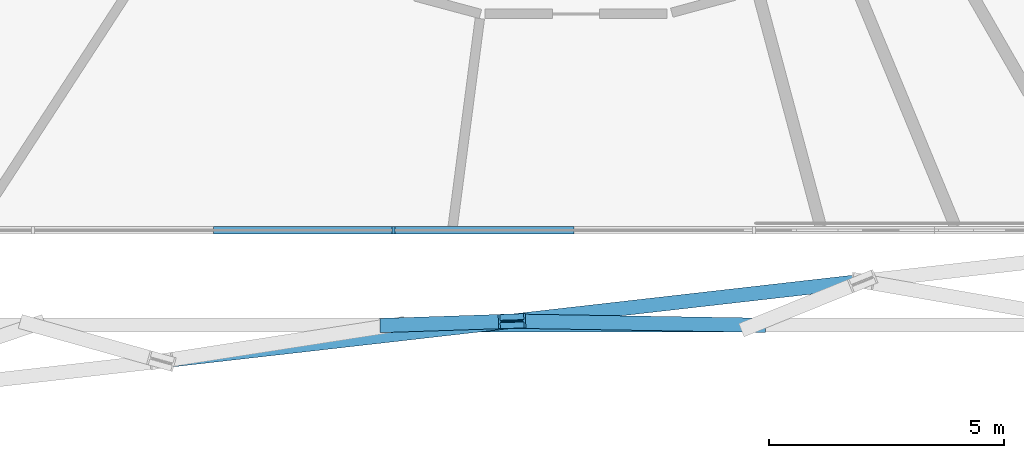
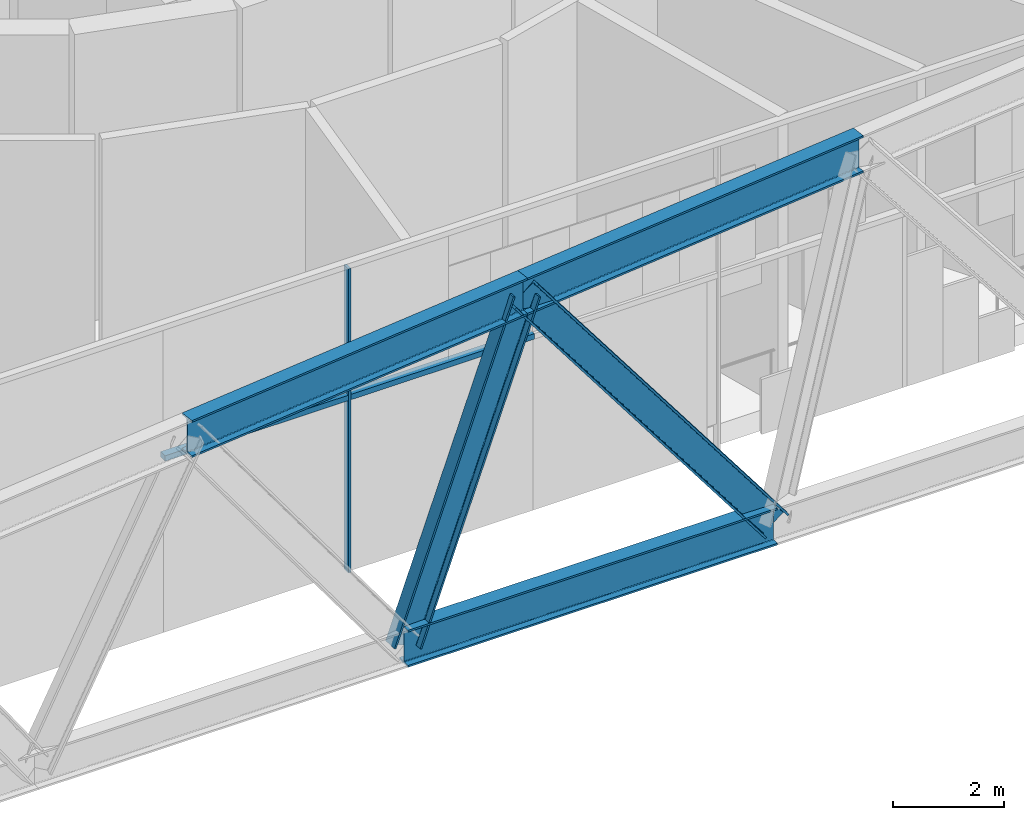
# One storey, part 2 of 29: 8 members, 1 element without a shape of its own.
"""IFC4 building model written with IfcOpenShell, lengths in metres."""

import ifcopenshell
import ifcopenshell.guid

model = None  # the IFC model being written
_history = None  # IfcOwnerHistory: only IFC2X3 demands one
_inside = {}  # id of a spatial element -> (the spatial element, [elements in it])
_under = {}  # id of a project, library or spatial element -> (it, [spatial elements below it])
_declared = {}  # id of a project -> (the project, [libraries it declares])
_typed = {}  # id of a type object -> (the type object, [elements of that type])
_made_of = {}  # id of a material, layer set ... -> (it, [elements and type objects made of it])


def new_model(schema):
    """Start an empty IFC model of exactly this schema.

    Asked for "IFC4X3", IfcOpenShell would pick the latest addendum, in which some entities
    have other attributes; the version numbers below select the first issue.
    IFC2X3 requires an IfcOwnerHistory on every rooted entity: one is made here for all.
    """
    global model, _history
    if schema == "IFC4X3":
        model = ifcopenshell.file(schema_version=(4, 3, 0, 0))
    else:
        model = ifcopenshell.file(schema=schema)
    _inside.clear()
    _under.clear()
    _declared.clear()
    _typed.clear()
    _made_of.clear()
    _history = None
    if model.schema == "IFC2X3":
        org = make("IfcOrganization", Name="unknown")
        user = make(
            "IfcPersonAndOrganization",
            ThePerson=make("IfcPerson", FamilyName="unknown"),
            TheOrganization=org,
        )
        app = make(
            "IfcApplication",
            ApplicationDeveloper=org,
            Version="unknown",
            ApplicationFullName="unknown",
            ApplicationIdentifier="unknown",
        )
        _history = make(
            "IfcOwnerHistory",
            OwningUser=user,
            OwningApplication=app,
            ChangeAction="ADDED",
            CreationDate=0,
        )
    return model


def make(cls, **values):
    """One entity of the class cls with the attributes given. An attribute that is None is left unset."""
    return model.create_entity(
        cls, **{name: value for name, value in values.items() if value is not None}
    )


def rooted(cls, **values):
    """An entity with a GlobalId (a new one), such as an element, a storey or a relation."""
    return make(cls, GlobalId=ifcopenshell.guid.new(), OwnerHistory=_history, **values)


def si_unit(unit_type, name, prefix=None):
    """IfcSIUnit, for example si_unit("LENGTHUNIT", "METRE", prefix="MILLI")."""
    return make("IfcSIUnit", UnitType=unit_type, Prefix=prefix, Name=name)


def assignment(units):
    """IfcUnitAssignment: the units of a project."""
    return None if units is None else make("IfcUnitAssignment", Units=units)


def point(xyz):
    """IfcCartesianPoint."""
    return None if xyz is None else make("IfcCartesianPoint", Coordinates=xyz)


def direction(xyz):
    """IfcDirection."""
    return None if xyz is None else make("IfcDirection", DirectionRatios=xyz)


def frame(location, z_axis=None, x_axis=None):
    """IfcAxis2Placement3D, a coordinate frame: its origin and axes. An axis left out is left unset."""
    return make(
        "IfcAxis2Placement3D",
        Location=point(location),
        Axis=direction(z_axis),
        RefDirection=direction(x_axis),
    )


def frame_2d(location, x_axis=None):
    """IfcAxis2Placement2D, a coordinate frame in the plane: its origin and x axis."""
    return make(
        "IfcAxis2Placement2D", Location=point(location), RefDirection=direction(x_axis)
    )


def origin():
    """The frame at (0, 0, 0) with its axes left unset."""
    return frame((0.0, 0.0, 0.0))


def origin_2d():
    """The frame at (0, 0) in the plane with its x axis left unset."""
    return frame_2d((0.0, 0.0))


def place(relative_to, where):
    """IfcLocalPlacement: puts the frame where relative to a parent placement (None: the world)."""
    return make(
        "IfcLocalPlacement", PlacementRelTo=relative_to, RelativePlacement=where
    )


def context(
    kind, dimensions, precision=None, world=None, true_north=None, identifier=None
):
    """IfcGeometricRepresentationContext, for example the 3D "Model" context."""
    return make(
        "IfcGeometricRepresentationContext",
        ContextIdentifier=identifier,
        ContextType=kind,
        CoordinateSpaceDimension=dimensions,
        Precision=precision,
        WorldCoordinateSystem=world,
        TrueNorth=true_north,
    )


def subcontext(parent, identifier, kind, view, scale=None):
    """IfcGeometricRepresentationSubContext, for example "Body" below "Model"."""
    return make(
        "IfcGeometricRepresentationSubContext",
        ContextIdentifier=identifier,
        ContextType=kind,
        ParentContext=parent,
        TargetScale=scale,
        TargetView=view,
    )


def project(units=None, contexts=None):
    """IfcProject with its units and contexts."""
    return rooted(
        "IfcProject",
        Name="project",
        RepresentationContexts=contexts,
        UnitsInContext=assignment(units),
    )


def spatial(cls, under=None, at=None, **own):
    """A site, building, storey or space (cls), placed at a placement, below another one or the project."""
    s = rooted(cls, ObjectPlacement=at, **own)
    if under is not None:
        _under.setdefault(under.id(), (under, []))[1].append(s)
    return s


def profile(cls, at=None, kind="AREA", **sizes):
    """A parametric profile (cls). Its sizes go by their IFC names, for example OverallWidth=200.0."""
    return make(cls, ProfileType=kind, Position=at, **sizes)


def rectangle(**sizes):
    """IfcRectangleProfileDef."""
    return profile("IfcRectangleProfileDef", **sizes)


def i_section(**sizes):
    """IfcIShapeProfileDef."""
    return profile("IfcIShapeProfileDef", **sizes)


def extrude(swept, where, along, depth):
    """IfcExtrudedAreaSolid: the profile swept, set in the frame where, extruded along a direction by depth."""
    return make(
        "IfcExtrudedAreaSolid",
        SweptArea=swept,
        Position=where,
        ExtrudedDirection=direction(along),
        Depth=depth,
    )


def shape(context_of_items, identifier, shape_type, items):
    """IfcShapeRepresentation: the items that make up one representation, for example the "Body"."""
    return make(
        "IfcShapeRepresentation",
        ContextOfItems=context_of_items,
        RepresentationIdentifier=identifier,
        RepresentationType=shape_type,
        Items=items,
    )


def material(Name=None, Category=None):
    """IfcMaterial."""
    return make("IfcMaterial", Name=Name, Category=Category)


def layer(
    of_material, thickness, ventilated=None, Name=None, Category=None, Priority=None
):
    """IfcMaterialLayer: one layer of a wall or slab, of a material (None: an air gap)."""
    return make(
        "IfcMaterialLayer",
        Material=of_material,
        LayerThickness=thickness,
        IsVentilated=ventilated,
        Name=Name,
        Category=Category,
        Priority=Priority,
    )


def layer_set(layers, Name=None):
    """IfcMaterialLayerSet."""
    return make("IfcMaterialLayerSet", MaterialLayers=layers, LayerSetName=Name)


def material_profile(
    of_material, cross_section, Name=None, Category=None, Priority=None
):
    """IfcMaterialProfile: a cross section and its material."""
    return make(
        "IfcMaterialProfile",
        Name=Name,
        Material=of_material,
        Profile=cross_section,
        Priority=Priority,
        Category=Category,
    )


def profile_set(profiles, Name=None, composite=None):
    """IfcMaterialProfileSet."""
    return make(
        "IfcMaterialProfileSet",
        Name=Name,
        MaterialProfiles=profiles,
        CompositeProfile=composite,
    )


def made_of(thing, what):
    """Note that an element or type object is made of a material, layer set ...; save() writes the relation."""
    if what is not None:
        _made_of.setdefault(what.id(), (what, []))[1].append(thing)
    return thing


def type_object(cls, material=None, **own):
    """A type object (cls), such as IfcWallType, which elements share."""
    return made_of(rooted(cls, **own), material)


def element(
    cls,
    number,
    at=None,
    inside=None,
    cuts=None,
    type_object=None,
    material=None,
    context=None,
    identifier="Body",
    shape_type=None,
    held_by="IfcProductDefinitionShape",
    body=None,
    shapes=None,
    **own,
):
    """One element of the class cls, such as IfcWall. Its Tag is "e" and its number.

    at: its placement. inside: the storey or other place that contains it. cuts: it is an
    opening in that element (IfcRelVoidsElement). A single representation is given by context,
    identifier, shape_type and body (its items); several are given by shapes. held_by: the class
    of the entity that holds the representations. save() writes the other relations.
    """
    e = rooted(cls, Tag="e%d" % number, ObjectPlacement=at, **own)
    if body is not None:
        shapes = [shape(context, identifier, shape_type, body)]
    if shapes is not None:
        e.Representation = make(held_by, Representations=shapes)
    if inside is not None:
        _inside.setdefault(inside.id(), (inside, []))[1].append(e)
    if cuts is not None:
        rooted(
            "IfcRelVoidsElement", RelatingBuildingElement=cuts, RelatedOpeningElement=e
        )
    if type_object is not None:
        _typed.setdefault(type_object.id(), (type_object, []))[1].append(e)
    return made_of(e, material)


def aggregate(whole, parts):
    """IfcRelAggregates: a whole, such as a stair, and the parts it consists of."""
    return rooted("IfcRelAggregates", RelatingObject=whole, RelatedObjects=parts)


def save(model, path):
    """Write the relations noted so far, then the file.

    IfcRelAggregates (storeys below a building ...), IfcRelContainedInSpatialStructure (elements
    in a storey), IfcRelDefinesByType, IfcRelAssociatesMaterial and IfcRelDeclares: one each for
    every whole, place, type object, material and project.
    """
    for whole, parts in _under.values():
        aggregate(whole, parts)
    for where, things in _inside.values():
        rooted(
            "IfcRelContainedInSpatialStructure",
            RelatedElements=things,
            RelatingStructure=where,
        )
    for kind, things in _typed.values():
        rooted("IfcRelDefinesByType", RelatedObjects=things, RelatingType=kind)
    for what, things in _made_of.values():
        rooted("IfcRelAssociatesMaterial", RelatedObjects=things, RelatingMaterial=what)
    for by, libraries in _declared.values():
        rooted("IfcRelDeclares", RelatingContext=by, RelatedDefinitions=libraries)
    model.write(path)


model = new_model("IFC4")

# Units and contexts
model_context = context("Model", 3, precision=1e-05, world=origin(), true_north=direction((0.0, 1.0)))
body_context = subcontext(model_context, "Body", "Model", "MODEL_VIEW")
ifc_project = project(units=[si_unit("LENGTHUNIT", "METRE"), si_unit("AREAUNIT", "SQUARE_METRE"), si_unit("VOLUMEUNIT", "CUBIC_METRE"), si_unit("PLANEANGLEUNIT", "RADIAN"), si_unit("MASSUNIT", "GRAM", prefix="KILO")], contexts=[model_context])

# Site, building, storey
site_placement = place(None, origin())
site = spatial("IfcSite", under=ifc_project, at=site_placement, CompositionType="ELEMENT")
building_placement = place(site_placement, origin())
building = spatial("IfcBuilding", under=site, at=building_placement, Name="Spindle Arch Residences", CompositionType="ELEMENT")
storey_placement = place(building_placement, frame((0.0, 0.0, 69.89990234375)))
storey = spatial("IfcBuildingStorey", under=building, at=storey_placement, Name="L16", CompositionType="ELEMENT", Elevation=69.89990234375)

# Members
ifc_material_1 = material(Name="Steel S460ML, intumescent coating R 240", Category="steel")
ifc_material_profile_1 = material_profile(ifc_material_1, i_section(OverallWidth=0.302978515625, OverallDepth=0.81396484375, WebThickness=0.02099609375, FlangeThickness=0.0400390625, FilletRadius=0.030029296875, at=origin_2d()), Name="HEM 800")
ifc_profile_set_1 = profile_set([ifc_material_profile_1], Name="Steel S460ML, intumescent coating R 240")
member_type_1 = type_object("IfcMemberType", Name="Belt truss chord HEM 800", PredefinedType="CHORD", material=ifc_profile_set_1)
member_1_placement = place(storey_placement, frame((-3.840087890625, -21.72998046875, -0.85693359375), z_axis=(1.0, 0.0, 0.0), x_axis=(0.0, 1.0, 0.0)))
element("IfcMember", 1, at=member_1_placement, inside=storey, type_object=member_type_1, Name="Belt truss bottom chord L16.24", PredefinedType="CHORD", context=body_context, shape_type="SweptSolid", body=[
    extrude(i_section(OverallWidth=0.302978515625, OverallDepth=0.81396484375, WebThickness=0.02099609375, FlangeThickness=0.0400390625, FilletRadius=0.030029296875, at=origin_2d()), origin(), (0.0, 0.0, 1.0), 7.68017578125),
])
member_2_placement = place(storey_placement, frame((-8.7880859375, -22.4970703125, 5.943115234375), z_axis=(0.993569772439, 0.113221496617, 0.0), x_axis=(-0.113221496617, 0.993569772439, 0.0)))
element("IfcMember", 2, at=member_2_placement, inside=storey, type_object=member_type_1, Name="Belt truss top chord L16.23", PredefinedType="CHORD", context=body_context, shape_type="SweptSolid", body=[
    extrude(i_section(OverallWidth=0.302978515625, OverallDepth=0.81396484375, WebThickness=0.02099609375, FlangeThickness=0.0400390625, FilletRadius=0.030029296875, at=origin_2d()), origin(), (0.0, 0.0, 1.0), 7.51904296875),
])
member_3_placement = place(storey_placement, frame((-1.3173828125, -21.645751953125, 5.943115234375), z_axis=(0.993573008535, 0.113193094799, 0.0), x_axis=(-0.113193094799, 0.993573008535, 0.0)))
element("IfcMember", 3, at=member_3_placement, inside=storey, type_object=member_type_1, Name="Belt truss top chord L16.24", PredefinedType="CHORD", context=body_context, shape_type="SweptSolid", body=[
    extrude(i_section(OverallWidth=0.302978515625, OverallDepth=0.81396484375, WebThickness=0.02099609375, FlangeThickness=0.0400390625, FilletRadius=0.030029296875, at=origin_2d()), origin(), (0.0, 0.0, 1.0), 7.518798828125),
])
ifc_material_2 = material(Name="Steel S460ML, intumescent coating R 240", Category="steel")
ifc_material_profile_2 = material_profile(ifc_material_2, i_section(OverallWidth=0.304931640625, OverallDepth=0.6201171875, WebThickness=0.02099609375, FlangeThickness=0.0400390625, FilletRadius=0.027099609375, at=origin_2d()), Name="HEM 600")
ifc_profile_set_2 = profile_set([ifc_material_profile_2], Name="Steel S460ML, intumescent coating R 240")
member_type_2 = type_object("IfcMemberType", Name="Belt truss diagonal HEM 600", PredefinedType="BRACE", material=ifc_profile_set_2)
member_4_placement = place(storey_placement, frame((-3.840087890625, -21.72998046875, -0.85693359375), z_axis=(0.347796256818, 0.011612281874, 0.93749822328), x_axis=(-0.033369579287, 0.999443080509, 0.0)))
element("IfcMember", 4, at=member_4_placement, inside=storey, type_object=member_type_2, Name="Belt truss diagonal L16.24.24", PredefinedType="BRACE", context=body_context, shape_type="SweptSolid", body=[
    extrude(i_section(OverallWidth=0.304931640625, OverallDepth=0.6201171875, WebThickness=0.02099609375, FlangeThickness=0.0400390625, FilletRadius=0.027099609375, at=origin_2d()), origin(), (0.0, 0.0, 1.0), 7.25341796875),
])
member_5_placement = place(storey_placement, frame((3.840087890625, -21.72998046875, -0.85693359375), z_axis=(-0.604268772601, 0.009868531434, 0.796719437787), x_axis=(-0.016329183486, -0.999866669995, 0.0)))
element("IfcMember", 5, at=member_5_placement, inside=storey, type_object=member_type_2, Name="Belt truss diagonal L16.24.1", PredefinedType="BRACE", context=body_context, shape_type="SweptSolid", body=[
    extrude(i_section(OverallWidth=0.304931640625, OverallDepth=0.6201171875, WebThickness=0.02099609375, FlangeThickness=0.0400390625, FilletRadius=0.027099609375, at=origin_2d()), origin(), (0.0, 0.0, 1.0), 8.53515625),
])

# Curtain wall, members
ifc_material_3 = material(Name="Aluminium bronze unitised frame with tinted glass", Category="aluminium")
ifc_layer = layer(ifc_material_3, 0.159912109375)
ifc_layer_set = layer_set([ifc_layer], Name="CW-E double-height winter garden wall")
curtain_wall_type = type_object("IfcCurtainWallType", Name="CW-E double-height winter garden wall", PredefinedType="NOTDEFINED", material=ifc_layer_set)
curtain_wall_placement = place(storey_placement, origin())
curtain_wall = element("IfcCurtainWall", 6, at=curtain_wall_placement, inside=storey, type_object=curtain_wall_type, Name="CW-E L16 run 6", PredefinedType="NOTDEFINED")
ifc_material_4 = material(Name="Aluminium bronze anodised mullion", Category="aluminium")
ifc_material_profile_3 = material_profile(ifc_material_4, rectangle(XDim=0.159912109375, YDim=0.06005859375, at=origin_2d()), Name="MU 60x160")
ifc_profile_set_3 = profile_set([ifc_material_profile_3], Name="Aluminium bronze anodised mullion")
member_type_3 = type_object("IfcMemberType", Name="Bronze mullion 60x160", PredefinedType="MULLION", material=ifc_profile_set_3)
member_6_placement = place(storey_placement, frame((-3.840087890625, -19.7099609375, -0.449951171875), z_axis=(0.0, 0.0, 1.0), x_axis=(0.0, 1.0, 0.0)))
member_6 = element("IfcMember", 7, at=member_6_placement, type_object=member_type_3, Name="CW-E mullion 23", PredefinedType="MULLION", context=body_context, shape_type="SweptSolid", body=[
    extrude(rectangle(XDim=0.159912109375, YDim=0.06005859375, at=origin_2d()), origin(), (0.0, 0.0, 1.0), 6.679931640625),
])
ifc_material_5 = material(Name="Aluminium bronze anodised transom", Category="aluminium")
ifc_material_profile_4 = material_profile(ifc_material_5, rectangle(XDim=0.159912109375, YDim=0.1201171875, at=origin_2d()), Name="TR 120x160")
ifc_profile_set_4 = profile_set([ifc_material_profile_4], Name="Aluminium bronze anodised transom")
member_type_4 = type_object("IfcMemberType", Name="Bronze transom 120x160", PredefinedType="USERDEFINED", material=ifc_profile_set_4)
member_7_placement = place(storey_placement, frame((-7.68017578125, -19.7099609375, 3.400146484375), z_axis=(1.0, 0.0, 0.0), x_axis=(0.0, 1.0, 0.0)))
member_7 = element("IfcMember", 8, at=member_7_placement, type_object=member_type_4, Name="CW-E transom 22Bm", ObjectType="TRANSOM", PredefinedType="USERDEFINED", context=body_context, shape_type="SweptSolid", body=[
    extrude(rectangle(XDim=0.159912109375, YDim=0.1201171875, at=origin_2d()), origin(), (0.0, 0.0, 1.0), 3.81005859375),
])
member_8_placement = place(storey_placement, frame((-3.81005859375, -19.7099609375, 3.400146484375), z_axis=(1.0, 0.0, 0.0), x_axis=(0.0, 1.0, 0.0)))
member_8 = element("IfcMember", 9, at=member_8_placement, type_object=member_type_4, Name="CW-E transom 23Am", ObjectType="TRANSOM", PredefinedType="USERDEFINED", context=body_context, shape_type="SweptSolid", body=[
    extrude(rectangle(XDim=0.159912109375, YDim=0.1201171875, at=origin_2d()), origin(), (0.0, 0.0, 1.0), 3.81005859375),
])
aggregate(curtain_wall, [member_7, member_6, member_8])

save(model, "model.ifc")
